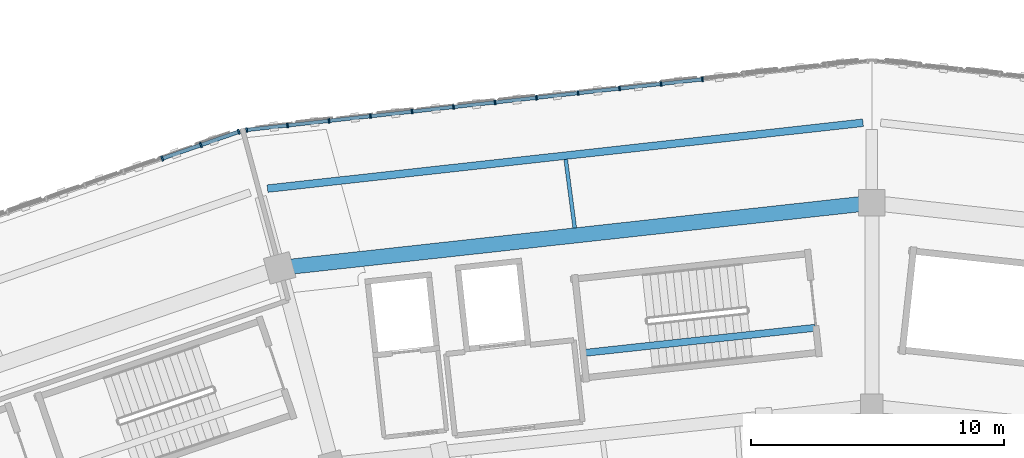
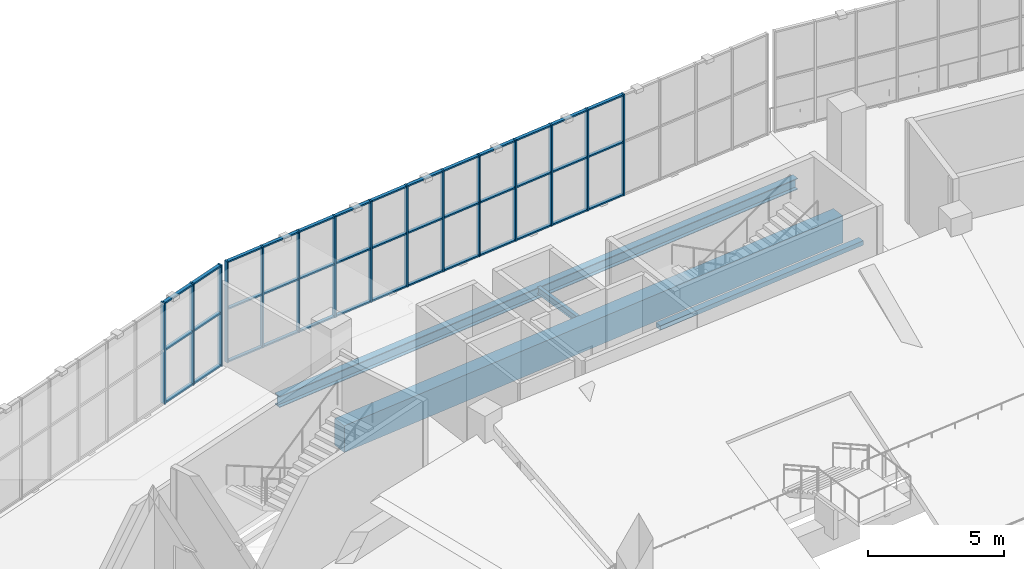
# One storey, part 57 of 152: 54 members, 4 beams, 2 elements without a shape of their own.
"""IFC4 building model written with IfcOpenShell, lengths in metres."""

from ifc_helpers import new_model, si_unit, direction, frame, origin, origin_2d, place, context, subcontext, project, spatial, rectangle, i_section, extrude, material, material_profile, profile_set, type_object, element, aggregate, save


model = new_model("IFC4")

# Units and contexts
model_context = context("Model", 3, precision=1e-05, world=origin(), true_north=direction((0.0, 1.0)))
body_context = subcontext(model_context, "Body", "Model", "MODEL_VIEW")
ifc_project = project(units=[si_unit("LENGTHUNIT", "METRE"), si_unit("AREAUNIT", "SQUARE_METRE"), si_unit("VOLUMEUNIT", "CUBIC_METRE"), si_unit("PLANEANGLEUNIT", "RADIAN"), si_unit("MASSUNIT", "GRAM", prefix="KILO")], contexts=[model_context])

# Site, building, storey
site_placement = place(None, origin())
site = spatial("IfcSite", under=ifc_project, at=site_placement, CompositionType="ELEMENT")
building_placement = place(site_placement, origin())
building = spatial("IfcBuilding", under=site, at=building_placement, Name="Zevraka Park Crest Stadium", CompositionType="ELEMENT")
storey_placement = place(building_placement, frame((0.0, 0.0, 15.0)))
storey = spatial("IfcBuildingStorey", under=building, at=storey_placement, Name="L03", CompositionType="ELEMENT", Elevation=15.0)

# Curtain wall, members
ifc_material_1 = material(Name="Anodised architectural aluminium and laminated safety glass", Category="aluminium")
curtain_wall_type_1 = type_object("IfcCurtainWallType", Name="CW11", PredefinedType="NOTDEFINED", material=ifc_material_1)
curtain_wall_1_placement = place(storey_placement, origin())
curtain_wall_1 = element("IfcCurtainWall", 1, at=curtain_wall_1_placement, inside=storey, type_object=curtain_wall_type_1, Name="Unitised Ring Curtain Wall CW11 L03-06", PredefinedType="NOTDEFINED")
ifc_material_2 = material(Name="Anodised architectural aluminium", Category="aluminium")
ifc_material_profile_1 = material_profile(ifc_material_2, rectangle(XDim=0.179931640625, YDim=0.06494140625, at=origin_2d()), Name="ALU MULLION 180x65")
ifc_profile_set_1 = profile_set([ifc_material_profile_1], Name="Anodised architectural aluminium")
member_type_1 = type_object("IfcMemberType", Name="CM02", PredefinedType="MULLION", material=ifc_profile_set_1)
member_1_placement = place(storey_placement, frame((105.318359375, 172.17724609375, 0.0), z_axis=(0.0, 0.0, 1.0), x_axis=(0.110396006373, -0.993887680665, 0.0)))
member_1 = element("IfcMember", 2, at=member_1_placement, type_object=member_type_1, Name="CW11 mullion 5", PredefinedType="MULLION", context=body_context, shape_type="SweptSolid", body=[
    extrude(rectangle(XDim=0.179931640625, YDim=0.06494140625, at=origin_2d()), origin(), (0.0, 0.0, 1.0), 4.5400390625),
])
member_2_placement = place(storey_placement, frame((103.680419921875, 171.995361328125, 0.0), z_axis=(0.0, 0.0, 1.0), x_axis=(0.110396006373, -0.993887680665, 0.0)))
member_2 = element("IfcMember", 3, at=member_2_placement, type_object=member_type_1, Name="CW11 mullion 6", PredefinedType="MULLION", context=body_context, shape_type="SweptSolid", body=[
    extrude(rectangle(XDim=0.179931640625, YDim=0.06494140625, at=origin_2d()), origin(), (0.0, 0.0, 1.0), 4.5400390625),
])
member_3_placement = place(storey_placement, frame((102.04248046875, 171.8134765625, 0.0), z_axis=(0.0, 0.0, 1.0), x_axis=(0.110396006373, -0.993887680665, 0.0)))
member_3 = element("IfcMember", 4, at=member_3_placement, type_object=member_type_1, Name="CW11 mullion 7", PredefinedType="MULLION", context=body_context, shape_type="SweptSolid", body=[
    extrude(rectangle(XDim=0.179931640625, YDim=0.06494140625, at=origin_2d()), origin(), (0.0, 0.0, 1.0), 4.5400390625),
])
member_4_placement = place(storey_placement, frame((100.404541015625, 171.63134765625, 0.0), z_axis=(0.0, 0.0, 1.0), x_axis=(0.110396006373, -0.993887680665, 0.0)))
member_4 = element("IfcMember", 5, at=member_4_placement, type_object=member_type_1, Name="CW11 mullion 8", PredefinedType="MULLION", context=body_context, shape_type="SweptSolid", body=[
    extrude(rectangle(XDim=0.179931640625, YDim=0.06494140625, at=origin_2d()), origin(), (0.0, 0.0, 1.0), 4.5400390625),
])
member_5_placement = place(storey_placement, frame((98.7666015625, 171.449462890625, 0.0), z_axis=(0.0, 0.0, 1.0), x_axis=(0.110396006373, -0.993887680665, 0.0)))
member_5 = element("IfcMember", 6, at=member_5_placement, type_object=member_type_1, Name="CW11 mullion 9", PredefinedType="MULLION", context=body_context, shape_type="SweptSolid", body=[
    extrude(rectangle(XDim=0.179931640625, YDim=0.06494140625, at=origin_2d()), origin(), (0.0, 0.0, 1.0), 4.5400390625),
])
member_6_placement = place(storey_placement, frame((97.128662109375, 171.267578125, 0.0), z_axis=(0.0, 0.0, 1.0), x_axis=(0.110396006373, -0.993887680665, 0.0)))
member_6 = element("IfcMember", 7, at=member_6_placement, type_object=member_type_1, Name="CW11 mullion 10", PredefinedType="MULLION", context=body_context, shape_type="SweptSolid", body=[
    extrude(rectangle(XDim=0.179931640625, YDim=0.06494140625, at=origin_2d()), origin(), (0.0, 0.0, 1.0), 4.5400390625),
])
member_7_placement = place(storey_placement, frame((95.49072265625, 171.085693359375, 0.0), z_axis=(0.0, 0.0, 1.0), x_axis=(0.110396006373, -0.993887680665, 0.0)))
member_7 = element("IfcMember", 8, at=member_7_placement, type_object=member_type_1, Name="CW11 mullion 11", PredefinedType="MULLION", context=body_context, shape_type="SweptSolid", body=[
    extrude(rectangle(XDim=0.179931640625, YDim=0.06494140625, at=origin_2d()), origin(), (0.0, 0.0, 1.0), 4.5400390625),
])
member_8_placement = place(storey_placement, frame((93.852783203125, 170.90380859375, 0.0), z_axis=(0.0, 0.0, 1.0), x_axis=(0.110396006373, -0.993887680665, 0.0)))
member_8 = element("IfcMember", 9, at=member_8_placement, type_object=member_type_1, Name="CW11 mullion 12", PredefinedType="MULLION", context=body_context, shape_type="SweptSolid", body=[
    extrude(rectangle(XDim=0.179931640625, YDim=0.06494140625, at=origin_2d()), origin(), (0.0, 0.0, 1.0), 4.5400390625),
])
member_9_placement = place(storey_placement, frame((92.21484375, 170.7216796875, 0.0), z_axis=(0.0, 0.0, 1.0), x_axis=(0.110396006373, -0.993887680665, 0.0)))
member_9 = element("IfcMember", 10, at=member_9_placement, type_object=member_type_1, Name="CW11 mullion 13", PredefinedType="MULLION", context=body_context, shape_type="SweptSolid", body=[
    extrude(rectangle(XDim=0.179931640625, YDim=0.06494140625, at=origin_2d()), origin(), (0.0, 0.0, 1.0), 4.5400390625),
])
member_10_placement = place(storey_placement, frame((90.576904296875, 170.539794921875, 0.0), z_axis=(0.0, 0.0, 1.0), x_axis=(0.110396006373, -0.993887680665, 0.0)))
member_10 = element("IfcMember", 11, at=member_10_placement, type_object=member_type_1, Name="CW11 mullion 14", PredefinedType="MULLION", context=body_context, shape_type="SweptSolid", body=[
    extrude(rectangle(XDim=0.179931640625, YDim=0.06494140625, at=origin_2d()), origin(), (0.0, 0.0, 1.0), 4.5400390625),
])
member_11_placement = place(storey_placement, frame((88.93896484375, 170.35791015625, 0.0), z_axis=(0.0, 0.0, 1.0), x_axis=(0.110396006373, -0.993887680665, 0.0)))
member_11 = element("IfcMember", 12, at=member_11_placement, type_object=member_type_1, Name="CW11 mullion 15", PredefinedType="MULLION", context=body_context, shape_type="SweptSolid", body=[
    extrude(rectangle(XDim=0.179931640625, YDim=0.06494140625, at=origin_2d()), origin(), (0.0, 0.0, 1.0), 4.5400390625),
])
member_12_placement = place(storey_placement, frame((87.333251953125, 170.1796875, 0.0), z_axis=(0.0, 0.0, 1.0), x_axis=(0.110396006373, -0.993887680665, 0.0)))
member_12 = element("IfcMember", 13, at=member_12_placement, type_object=member_type_1, Name="CW11 mullion 16", PredefinedType="MULLION", context=body_context, shape_type="SweptSolid", body=[
    extrude(rectangle(XDim=0.179931640625, YDim=0.06494140625, at=origin_2d()), origin(), (0.0, 0.0, 1.0), 4.5400390625),
])

ifc_material_3 = material(Name="Anodised architectural aluminium and laminated safety glass", Category="aluminium")
curtain_wall_type_2 = type_object("IfcCurtainWallType", Name="CW12", PredefinedType="NOTDEFINED", material=ifc_material_3)
curtain_wall_2_placement = place(storey_placement, origin())
curtain_wall_2 = element("IfcCurtainWall", 14, at=curtain_wall_2_placement, inside=storey, type_object=curtain_wall_type_2, Name="Unitised Ring Curtain Wall CW12 L03-07", PredefinedType="NOTDEFINED")
ifc_material_4 = material(Name="Anodised architectural aluminium", Category="aluminium")
ifc_material_profile_2 = material_profile(ifc_material_4, rectangle(XDim=0.199951171875, YDim=0.070068359375, at=origin_2d()), Name="ALU MULLION 200x70")
ifc_profile_set_2 = profile_set([ifc_material_profile_2], Name="Anodised architectural aluminium")
member_type_2 = type_object("IfcMemberType", Name="CM03", PredefinedType="MULLION", material=ifc_profile_set_2)
member_13_placement = place(storey_placement, frame((87.013916015625, 170.1064453125, 0.0), z_axis=(0.0, 0.0, 1.0), x_axis=(0.329916814701, -0.944010008092, 0.0)))
member_13 = element("IfcMember", 15, at=member_13_placement, type_object=member_type_2, Name="CW12 mullion 1", PredefinedType="MULLION", context=body_context, shape_type="SweptSolid", body=[
    extrude(rectangle(XDim=0.199951171875, YDim=0.070068359375, at=origin_2d()), origin(), (0.0, 0.0, 1.0), 4.5400390625),
])
member_14_placement = place(storey_placement, frame((85.521240234375, 169.584716796875, 0.0), z_axis=(0.0, 0.0, 1.0), x_axis=(0.329916814701, -0.944010008092, 0.0)))
member_14 = element("IfcMember", 16, at=member_14_placement, type_object=member_type_2, Name="CW12 mullion 2", PredefinedType="MULLION", context=body_context, shape_type="SweptSolid", body=[
    extrude(rectangle(XDim=0.199951171875, YDim=0.070068359375, at=origin_2d()), origin(), (0.0, 0.0, 1.0), 4.5400390625),
])
member_15_placement = place(storey_placement, frame((83.995361328125, 169.051513671875, 0.0), z_axis=(0.0, 0.0, 1.0), x_axis=(0.329916814701, -0.944010008092, 0.0)))
member_15 = element("IfcMember", 17, at=member_15_placement, type_object=member_type_2, Name="CW12 mullion 3", PredefinedType="MULLION", context=body_context, shape_type="SweptSolid", body=[
    extrude(rectangle(XDim=0.199951171875, YDim=0.070068359375, at=origin_2d()), origin(), (0.0, 0.0, 1.0), 4.5400390625),
])

# Member
ifc_material_5 = material(Name="Anodised architectural aluminium", Category="aluminium")
ifc_material_profile_3 = material_profile(ifc_material_5, rectangle(XDim=0.139892578125, YDim=0.06494140625, at=origin_2d()), Name="ALU TRANSOM 140x65")
ifc_profile_set_3 = profile_set([ifc_material_profile_3], Name="Anodised architectural aluminium")
member_type_3 = type_object("IfcMemberType", Name="CT02", PredefinedType="USERDEFINED", material=ifc_profile_set_3)
member_16_placement = place(storey_placement, frame((105.285888671875, 172.173583984375, 0.032470703125), z_axis=(-0.993900651403, -0.110279169111, 0.0), x_axis=(0.110279169111, -0.993900651403, 0.0)))
member_16 = element("IfcMember", 18, at=member_16_placement, type_object=member_type_3, Name="CW11 transom 5.1", ObjectType="TRANSOM", PredefinedType="USERDEFINED", context=body_context, shape_type="SweptSolid", body=[
    extrude(rectangle(XDim=0.139892578125, YDim=0.06494140625, at=origin_2d()), origin(), (0.0, 0.0, 1.0), 1.5830078125),
])

member_17_placement = place(storey_placement, frame((105.285888671875, 172.173583984375, 2.39990234375), z_axis=(-0.993900651403, -0.110279169111, 0.0), x_axis=(0.110279169111, -0.993900651403, 0.0)))
member_17 = element("IfcMember", 19, at=member_17_placement, type_object=member_type_3, Name="CW11 transom 5.2", ObjectType="TRANSOM", PredefinedType="USERDEFINED", context=body_context, shape_type="SweptSolid", body=[
    extrude(rectangle(XDim=0.139892578125, YDim=0.06494140625, at=origin_2d()), origin(), (0.0, 0.0, 1.0), 1.5830078125),
])

member_18_placement = place(storey_placement, frame((105.285888671875, 172.173583984375, 4.507568359375), z_axis=(-0.993900651403, -0.110279169111, 0.0), x_axis=(0.110279169111, -0.993900651403, 0.0)))
member_18 = element("IfcMember", 20, at=member_18_placement, type_object=member_type_3, Name="CW11 transom 5.3", ObjectType="TRANSOM", PredefinedType="USERDEFINED", context=body_context, shape_type="SweptSolid", body=[
    extrude(rectangle(XDim=0.139892578125, YDim=0.06494140625, at=origin_2d()), origin(), (0.0, 0.0, 1.0), 1.5830078125),
])

member_19_placement = place(storey_placement, frame((103.64794921875, 171.99169921875, 0.032470703125), z_axis=(-0.993883734674, -0.110431526075, 0.0), x_axis=(0.110431526075, -0.993883734674, 0.0)))
member_19 = element("IfcMember", 21, at=member_19_placement, type_object=member_type_3, Name="CW11 transom 6.1", ObjectType="TRANSOM", PredefinedType="USERDEFINED", context=body_context, shape_type="SweptSolid", body=[
    extrude(rectangle(XDim=0.139892578125, YDim=0.06494140625, at=origin_2d()), origin(), (0.0, 0.0, 1.0), 1.5830078125),
])

member_20_placement = place(storey_placement, frame((103.64794921875, 171.99169921875, 2.39990234375), z_axis=(-0.993883734674, -0.110431526075, 0.0), x_axis=(0.110431526075, -0.993883734674, 0.0)))
member_20 = element("IfcMember", 22, at=member_20_placement, type_object=member_type_3, Name="CW11 transom 6.2", ObjectType="TRANSOM", PredefinedType="USERDEFINED", context=body_context, shape_type="SweptSolid", body=[
    extrude(rectangle(XDim=0.139892578125, YDim=0.06494140625, at=origin_2d()), origin(), (0.0, 0.0, 1.0), 1.5830078125),
])

member_21_placement = place(storey_placement, frame((103.64794921875, 171.99169921875, 4.507568359375), z_axis=(-0.993883734674, -0.110431526075, 0.0), x_axis=(0.110431526075, -0.993883734674, 0.0)))
member_21 = element("IfcMember", 23, at=member_21_placement, type_object=member_type_3, Name="CW11 transom 6.3", ObjectType="TRANSOM", PredefinedType="USERDEFINED", context=body_context, shape_type="SweptSolid", body=[
    extrude(rectangle(XDim=0.139892578125, YDim=0.06494140625, at=origin_2d()), origin(), (0.0, 0.0, 1.0), 1.5830078125),
])

member_22_placement = place(storey_placement, frame((102.010009765625, 171.809814453125, 0.032470703125), z_axis=(-0.993883734674, -0.110431526075, 0.0), x_axis=(0.110431526075, -0.993883734674, 0.0)))
member_22 = element("IfcMember", 24, at=member_22_placement, type_object=member_type_3, Name="CW11 transom 7.1", ObjectType="TRANSOM", PredefinedType="USERDEFINED", context=body_context, shape_type="SweptSolid", body=[
    extrude(rectangle(XDim=0.139892578125, YDim=0.06494140625, at=origin_2d()), origin(), (0.0, 0.0, 1.0), 1.5830078125),
])

member_23_placement = place(storey_placement, frame((102.010009765625, 171.809814453125, 2.39990234375), z_axis=(-0.993883734674, -0.110431526075, 0.0), x_axis=(0.110431526075, -0.993883734674, 0.0)))
member_23 = element("IfcMember", 25, at=member_23_placement, type_object=member_type_3, Name="CW11 transom 7.2", ObjectType="TRANSOM", PredefinedType="USERDEFINED", context=body_context, shape_type="SweptSolid", body=[
    extrude(rectangle(XDim=0.139892578125, YDim=0.06494140625, at=origin_2d()), origin(), (0.0, 0.0, 1.0), 1.5830078125),
])

member_24_placement = place(storey_placement, frame((102.010009765625, 171.809814453125, 4.507568359375), z_axis=(-0.993883734674, -0.110431526075, 0.0), x_axis=(0.110431526075, -0.993883734674, 0.0)))
member_24 = element("IfcMember", 26, at=member_24_placement, type_object=member_type_3, Name="CW11 transom 7.3", ObjectType="TRANSOM", PredefinedType="USERDEFINED", context=body_context, shape_type="SweptSolid", body=[
    extrude(rectangle(XDim=0.139892578125, YDim=0.06494140625, at=origin_2d()), origin(), (0.0, 0.0, 1.0), 1.5830078125),
])

member_25_placement = place(storey_placement, frame((100.3720703125, 171.6279296875, 0.032470703125), z_axis=(-0.993883734674, -0.110431526075, 0.0), x_axis=(0.110431526075, -0.993883734674, 0.0)))
member_25 = element("IfcMember", 27, at=member_25_placement, type_object=member_type_3, Name="CW11 transom 8.1", ObjectType="TRANSOM", PredefinedType="USERDEFINED", context=body_context, shape_type="SweptSolid", body=[
    extrude(rectangle(XDim=0.139892578125, YDim=0.06494140625, at=origin_2d()), origin(), (0.0, 0.0, 1.0), 1.5830078125),
])

member_26_placement = place(storey_placement, frame((100.3720703125, 171.6279296875, 2.39990234375), z_axis=(-0.993883734674, -0.110431526075, 0.0), x_axis=(0.110431526075, -0.993883734674, 0.0)))
member_26 = element("IfcMember", 28, at=member_26_placement, type_object=member_type_3, Name="CW11 transom 8.2", ObjectType="TRANSOM", PredefinedType="USERDEFINED", context=body_context, shape_type="SweptSolid", body=[
    extrude(rectangle(XDim=0.139892578125, YDim=0.06494140625, at=origin_2d()), origin(), (0.0, 0.0, 1.0), 1.5830078125),
])

member_27_placement = place(storey_placement, frame((100.3720703125, 171.6279296875, 4.507568359375), z_axis=(-0.993883734674, -0.110431526075, 0.0), x_axis=(0.110431526075, -0.993883734674, 0.0)))
member_27 = element("IfcMember", 29, at=member_27_placement, type_object=member_type_3, Name="CW11 transom 8.3", ObjectType="TRANSOM", PredefinedType="USERDEFINED", context=body_context, shape_type="SweptSolid", body=[
    extrude(rectangle(XDim=0.139892578125, YDim=0.06494140625, at=origin_2d()), origin(), (0.0, 0.0, 1.0), 1.5830078125),
])

member_28_placement = place(storey_placement, frame((98.734130859375, 171.446044921875, 0.032470703125), z_axis=(-0.993883734674, -0.110431526075, 0.0), x_axis=(0.110431526075, -0.993883734674, 0.0)))
member_28 = element("IfcMember", 30, at=member_28_placement, type_object=member_type_3, Name="CW11 transom 9.1", ObjectType="TRANSOM", PredefinedType="USERDEFINED", context=body_context, shape_type="SweptSolid", body=[
    extrude(rectangle(XDim=0.139892578125, YDim=0.06494140625, at=origin_2d()), origin(), (0.0, 0.0, 1.0), 1.5830078125),
])

member_29_placement = place(storey_placement, frame((98.734130859375, 171.446044921875, 2.39990234375), z_axis=(-0.993883734674, -0.110431526075, 0.0), x_axis=(0.110431526075, -0.993883734674, 0.0)))
member_29 = element("IfcMember", 31, at=member_29_placement, type_object=member_type_3, Name="CW11 transom 9.2", ObjectType="TRANSOM", PredefinedType="USERDEFINED", context=body_context, shape_type="SweptSolid", body=[
    extrude(rectangle(XDim=0.139892578125, YDim=0.06494140625, at=origin_2d()), origin(), (0.0, 0.0, 1.0), 1.5830078125),
])

member_30_placement = place(storey_placement, frame((98.734130859375, 171.446044921875, 4.507568359375), z_axis=(-0.993883734674, -0.110431526075, 0.0), x_axis=(0.110431526075, -0.993883734674, 0.0)))
member_30 = element("IfcMember", 32, at=member_30_placement, type_object=member_type_3, Name="CW11 transom 9.3", ObjectType="TRANSOM", PredefinedType="USERDEFINED", context=body_context, shape_type="SweptSolid", body=[
    extrude(rectangle(XDim=0.139892578125, YDim=0.06494140625, at=origin_2d()), origin(), (0.0, 0.0, 1.0), 1.5830078125),
])

member_31_placement = place(storey_placement, frame((97.09619140625, 171.263916015625, 0.032470703125), z_axis=(-0.993900651403, -0.110279169111, 0.0), x_axis=(0.110279169111, -0.993900651403, 0.0)))
member_31 = element("IfcMember", 33, at=member_31_placement, type_object=member_type_3, Name="CW11 transom 10.1", ObjectType="TRANSOM", PredefinedType="USERDEFINED", context=body_context, shape_type="SweptSolid", body=[
    extrude(rectangle(XDim=0.139892578125, YDim=0.06494140625, at=origin_2d()), origin(), (0.0, 0.0, 1.0), 1.5830078125),
])

member_32_placement = place(storey_placement, frame((97.09619140625, 171.263916015625, 2.39990234375), z_axis=(-0.993900651403, -0.110279169111, 0.0), x_axis=(0.110279169111, -0.993900651403, 0.0)))
member_32 = element("IfcMember", 34, at=member_32_placement, type_object=member_type_3, Name="CW11 transom 10.2", ObjectType="TRANSOM", PredefinedType="USERDEFINED", context=body_context, shape_type="SweptSolid", body=[
    extrude(rectangle(XDim=0.139892578125, YDim=0.06494140625, at=origin_2d()), origin(), (0.0, 0.0, 1.0), 1.5830078125),
])

member_33_placement = place(storey_placement, frame((97.09619140625, 171.263916015625, 4.507568359375), z_axis=(-0.993900651403, -0.110279169111, 0.0), x_axis=(0.110279169111, -0.993900651403, 0.0)))
member_33 = element("IfcMember", 35, at=member_33_placement, type_object=member_type_3, Name="CW11 transom 10.3", ObjectType="TRANSOM", PredefinedType="USERDEFINED", context=body_context, shape_type="SweptSolid", body=[
    extrude(rectangle(XDim=0.139892578125, YDim=0.06494140625, at=origin_2d()), origin(), (0.0, 0.0, 1.0), 1.5830078125),
])

member_34_placement = place(storey_placement, frame((95.458251953125, 171.08203125, 0.032470703125), z_axis=(-0.993883734674, -0.110431526075, 0.0), x_axis=(0.110431526075, -0.993883734674, 0.0)))
member_34 = element("IfcMember", 36, at=member_34_placement, type_object=member_type_3, Name="CW11 transom 11.1", ObjectType="TRANSOM", PredefinedType="USERDEFINED", context=body_context, shape_type="SweptSolid", body=[
    extrude(rectangle(XDim=0.139892578125, YDim=0.06494140625, at=origin_2d()), origin(), (0.0, 0.0, 1.0), 1.5830078125),
])

member_35_placement = place(storey_placement, frame((95.458251953125, 171.08203125, 2.39990234375), z_axis=(-0.993883734674, -0.110431526075, 0.0), x_axis=(0.110431526075, -0.993883734674, 0.0)))
member_35 = element("IfcMember", 37, at=member_35_placement, type_object=member_type_3, Name="CW11 transom 11.2", ObjectType="TRANSOM", PredefinedType="USERDEFINED", context=body_context, shape_type="SweptSolid", body=[
    extrude(rectangle(XDim=0.139892578125, YDim=0.06494140625, at=origin_2d()), origin(), (0.0, 0.0, 1.0), 1.5830078125),
])

member_36_placement = place(storey_placement, frame((95.458251953125, 171.08203125, 4.507568359375), z_axis=(-0.993883734674, -0.110431526075, 0.0), x_axis=(0.110431526075, -0.993883734674, 0.0)))
member_36 = element("IfcMember", 38, at=member_36_placement, type_object=member_type_3, Name="CW11 transom 11.3", ObjectType="TRANSOM", PredefinedType="USERDEFINED", context=body_context, shape_type="SweptSolid", body=[
    extrude(rectangle(XDim=0.139892578125, YDim=0.06494140625, at=origin_2d()), origin(), (0.0, 0.0, 1.0), 1.5830078125),
])

member_37_placement = place(storey_placement, frame((93.8203125, 170.900146484375, 0.032470703125), z_axis=(-0.993883734674, -0.110431526075, 0.0), x_axis=(0.110431526075, -0.993883734674, 0.0)))
member_37 = element("IfcMember", 39, at=member_37_placement, type_object=member_type_3, Name="CW11 transom 12.1", ObjectType="TRANSOM", PredefinedType="USERDEFINED", context=body_context, shape_type="SweptSolid", body=[
    extrude(rectangle(XDim=0.139892578125, YDim=0.06494140625, at=origin_2d()), origin(), (0.0, 0.0, 1.0), 1.5830078125),
])

member_38_placement = place(storey_placement, frame((93.8203125, 170.900146484375, 2.39990234375), z_axis=(-0.993883734674, -0.110431526075, 0.0), x_axis=(0.110431526075, -0.993883734674, 0.0)))
member_38 = element("IfcMember", 40, at=member_38_placement, type_object=member_type_3, Name="CW11 transom 12.2", ObjectType="TRANSOM", PredefinedType="USERDEFINED", context=body_context, shape_type="SweptSolid", body=[
    extrude(rectangle(XDim=0.139892578125, YDim=0.06494140625, at=origin_2d()), origin(), (0.0, 0.0, 1.0), 1.5830078125),
])

member_39_placement = place(storey_placement, frame((93.8203125, 170.900146484375, 4.507568359375), z_axis=(-0.993883734674, -0.110431526075, 0.0), x_axis=(0.110431526075, -0.993883734674, 0.0)))
member_39 = element("IfcMember", 41, at=member_39_placement, type_object=member_type_3, Name="CW11 transom 12.3", ObjectType="TRANSOM", PredefinedType="USERDEFINED", context=body_context, shape_type="SweptSolid", body=[
    extrude(rectangle(XDim=0.139892578125, YDim=0.06494140625, at=origin_2d()), origin(), (0.0, 0.0, 1.0), 1.5830078125),
])

member_40_placement = place(storey_placement, frame((92.1826171875, 170.71826171875, 0.032470703125), z_axis=(-0.993885615143, -0.110414600534, 0.0), x_axis=(0.110414600534, -0.993885615143, 0.0)))
member_40 = element("IfcMember", 42, at=member_40_placement, type_object=member_type_3, Name="CW11 transom 13.1", ObjectType="TRANSOM", PredefinedType="USERDEFINED", context=body_context, shape_type="SweptSolid", body=[
    extrude(rectangle(XDim=0.139892578125, YDim=0.06494140625, at=origin_2d()), origin(), (0.0, 0.0, 1.0), 1.583251953125),
])

member_41_placement = place(storey_placement, frame((92.1826171875, 170.71826171875, 2.39990234375), z_axis=(-0.993885615143, -0.110414600534, 0.0), x_axis=(0.110414600534, -0.993885615143, 0.0)))
member_41 = element("IfcMember", 43, at=member_41_placement, type_object=member_type_3, Name="CW11 transom 13.2", ObjectType="TRANSOM", PredefinedType="USERDEFINED", context=body_context, shape_type="SweptSolid", body=[
    extrude(rectangle(XDim=0.139892578125, YDim=0.06494140625, at=origin_2d()), origin(), (0.0, 0.0, 1.0), 1.583251953125),
])

member_42_placement = place(storey_placement, frame((92.1826171875, 170.71826171875, 4.507568359375), z_axis=(-0.993885615143, -0.110414600534, 0.0), x_axis=(0.110414600534, -0.993885615143, 0.0)))
member_42 = element("IfcMember", 44, at=member_42_placement, type_object=member_type_3, Name="CW11 transom 13.3", ObjectType="TRANSOM", PredefinedType="USERDEFINED", context=body_context, shape_type="SweptSolid", body=[
    extrude(rectangle(XDim=0.139892578125, YDim=0.06494140625, at=origin_2d()), origin(), (0.0, 0.0, 1.0), 1.583251953125),
])

member_43_placement = place(storey_placement, frame((90.544677734375, 170.536376953125, 0.032470703125), z_axis=(-0.993885615143, -0.110414600534, 0.0), x_axis=(0.110414600534, -0.993885615143, 0.0)))
member_43 = element("IfcMember", 45, at=member_43_placement, type_object=member_type_3, Name="CW11 transom 14.1", ObjectType="TRANSOM", PredefinedType="USERDEFINED", context=body_context, shape_type="SweptSolid", body=[
    extrude(rectangle(XDim=0.139892578125, YDim=0.06494140625, at=origin_2d()), origin(), (0.0, 0.0, 1.0), 1.583251953125),
])

member_44_placement = place(storey_placement, frame((90.544677734375, 170.536376953125, 2.39990234375), z_axis=(-0.993885615143, -0.110414600534, 0.0), x_axis=(0.110414600534, -0.993885615143, 0.0)))
member_44 = element("IfcMember", 46, at=member_44_placement, type_object=member_type_3, Name="CW11 transom 14.2", ObjectType="TRANSOM", PredefinedType="USERDEFINED", context=body_context, shape_type="SweptSolid", body=[
    extrude(rectangle(XDim=0.139892578125, YDim=0.06494140625, at=origin_2d()), origin(), (0.0, 0.0, 1.0), 1.583251953125),
])

member_45_placement = place(storey_placement, frame((90.544677734375, 170.536376953125, 4.507568359375), z_axis=(-0.993885615143, -0.110414600534, 0.0), x_axis=(0.110414600534, -0.993885615143, 0.0)))
member_45 = element("IfcMember", 47, at=member_45_placement, type_object=member_type_3, Name="CW11 transom 14.3", ObjectType="TRANSOM", PredefinedType="USERDEFINED", context=body_context, shape_type="SweptSolid", body=[
    extrude(rectangle(XDim=0.139892578125, YDim=0.06494140625, at=origin_2d()), origin(), (0.0, 0.0, 1.0), 1.583251953125),
])

member_46_placement = place(storey_placement, frame((88.90673828125, 170.354248046875, 0.032470703125), z_axis=(-0.993889494064, -0.110379679236, 0.0), x_axis=(0.110379679236, -0.993889494064, 0.0)))
member_46 = element("IfcMember", 48, at=member_46_placement, type_object=member_type_3, Name="CW11 transom 15.1", ObjectType="TRANSOM", PredefinedType="USERDEFINED", context=body_context, shape_type="SweptSolid", body=[
    extrude(rectangle(XDim=0.139892578125, YDim=0.06494140625, at=origin_2d()), origin(), (0.0, 0.0, 1.0), 1.550537109375),
])

member_47_placement = place(storey_placement, frame((88.90673828125, 170.354248046875, 2.39990234375), z_axis=(-0.993889494064, -0.110379679236, 0.0), x_axis=(0.110379679236, -0.993889494064, 0.0)))
member_47 = element("IfcMember", 49, at=member_47_placement, type_object=member_type_3, Name="CW11 transom 15.2", ObjectType="TRANSOM", PredefinedType="USERDEFINED", context=body_context, shape_type="SweptSolid", body=[
    extrude(rectangle(XDim=0.139892578125, YDim=0.06494140625, at=origin_2d()), origin(), (0.0, 0.0, 1.0), 1.550537109375),
])

member_48_placement = place(storey_placement, frame((88.90673828125, 170.354248046875, 4.507568359375), z_axis=(-0.993889494064, -0.110379679236, 0.0), x_axis=(0.110379679236, -0.993889494064, 0.0)))
member_48 = element("IfcMember", 50, at=member_48_placement, type_object=member_type_3, Name="CW11 transom 15.3", ObjectType="TRANSOM", PredefinedType="USERDEFINED", context=body_context, shape_type="SweptSolid", body=[
    extrude(rectangle(XDim=0.139892578125, YDim=0.06494140625, at=origin_2d()), origin(), (0.0, 0.0, 1.0), 1.550537109375),
])

aggregate(curtain_wall_1, [member_1, member_2, member_3, member_4, member_5, member_6, member_7, member_8, member_9, member_10, member_11, member_12, member_16, member_17, member_18, member_19, member_20, member_21, member_22, member_23, member_24, member_25, member_26, member_27, member_28, member_29, member_30, member_31, member_32, member_33, member_34, member_35, member_36, member_37, member_38, member_39, member_40, member_41, member_42, member_43, member_44, member_45, member_46, member_47, member_48])

ifc_material_6 = material(Name="Anodised architectural aluminium", Category="aluminium")
ifc_material_profile_4 = material_profile(ifc_material_6, rectangle(XDim=0.14990234375, YDim=0.070068359375, at=origin_2d()), Name="ALU TRANSOM 150x70")
ifc_profile_set_4 = profile_set([ifc_material_profile_4], Name="Anodised architectural aluminium")
member_type_4 = type_object("IfcMemberType", Name="CT03", PredefinedType="USERDEFINED", material=ifc_profile_set_4)
member_49_placement = place(storey_placement, frame((86.98095703125, 170.094970703125, 0.034912109375), z_axis=(-0.943979170589, -0.330005038589, 0.0), x_axis=(0.330005038589, -0.943979170589, 0.0)))
member_49 = element("IfcMember", 51, at=member_49_placement, type_object=member_type_4, Name="CW12 transom 1.1", ObjectType="TRANSOM", PredefinedType="USERDEFINED", context=body_context, shape_type="SweptSolid", body=[
    extrude(rectangle(XDim=0.14990234375, YDim=0.070068359375, at=origin_2d()), origin(), (0.0, 0.0, 1.0), 1.511474609375),
])

member_50_placement = place(storey_placement, frame((86.98095703125, 170.094970703125, 2.39990234375), z_axis=(-0.943979170589, -0.330005038589, 0.0), x_axis=(0.330005038589, -0.943979170589, 0.0)))
member_50 = element("IfcMember", 52, at=member_50_placement, type_object=member_type_4, Name="CW12 transom 1.2", ObjectType="TRANSOM", PredefinedType="USERDEFINED", context=body_context, shape_type="SweptSolid", body=[
    extrude(rectangle(XDim=0.14990234375, YDim=0.070068359375, at=origin_2d()), origin(), (0.0, 0.0, 1.0), 1.511474609375),
])

member_51_placement = place(storey_placement, frame((86.98095703125, 170.094970703125, 4.5048828125), z_axis=(-0.943979170589, -0.330005038589, 0.0), x_axis=(0.330005038589, -0.943979170589, 0.0)))
member_51 = element("IfcMember", 53, at=member_51_placement, type_object=member_type_4, Name="CW12 transom 1.3", ObjectType="TRANSOM", PredefinedType="USERDEFINED", context=body_context, shape_type="SweptSolid", body=[
    extrude(rectangle(XDim=0.14990234375, YDim=0.070068359375, at=origin_2d()), origin(), (0.0, 0.0, 1.0), 1.511474609375),
])

member_52_placement = place(storey_placement, frame((85.488037109375, 169.5732421875, 0.034912109375), z_axis=(-0.943988739301, -0.329977666021, 0.0), x_axis=(0.329977666021, -0.943988739301, 0.0)))
member_52 = element("IfcMember", 54, at=member_52_placement, type_object=member_type_4, Name="CW12 transom 2.1", ObjectType="TRANSOM", PredefinedType="USERDEFINED", context=body_context, shape_type="SweptSolid", body=[
    extrude(rectangle(XDim=0.14990234375, YDim=0.070068359375, at=origin_2d()), origin(), (0.0, 0.0, 1.0), 1.54638671875),
])

member_53_placement = place(storey_placement, frame((85.488037109375, 169.5732421875, 2.39990234375), z_axis=(-0.943988739301, -0.329977666021, 0.0), x_axis=(0.329977666021, -0.943988739301, 0.0)))
member_53 = element("IfcMember", 55, at=member_53_placement, type_object=member_type_4, Name="CW12 transom 2.2", ObjectType="TRANSOM", PredefinedType="USERDEFINED", context=body_context, shape_type="SweptSolid", body=[
    extrude(rectangle(XDim=0.14990234375, YDim=0.070068359375, at=origin_2d()), origin(), (0.0, 0.0, 1.0), 1.54638671875),
])

member_54_placement = place(storey_placement, frame((85.488037109375, 169.5732421875, 4.5048828125), z_axis=(-0.943988739301, -0.329977666021, 0.0), x_axis=(0.329977666021, -0.943988739301, 0.0)))
member_54 = element("IfcMember", 56, at=member_54_placement, type_object=member_type_4, Name="CW12 transom 2.3", ObjectType="TRANSOM", PredefinedType="USERDEFINED", context=body_context, shape_type="SweptSolid", body=[
    extrude(rectangle(XDim=0.14990234375, YDim=0.070068359375, at=origin_2d()), origin(), (0.0, 0.0, 1.0), 1.54638671875),
])

aggregate(curtain_wall_2, [member_13, member_14, member_15, member_49, member_50, member_51, member_52, member_53, member_54])

# Beams
ifc_material_7 = material(Name="Concrete C40/50", Category="concrete")
ifc_material_profile_5 = material_profile(ifc_material_7, rectangle(XDim=0.60009765625, YDim=1.199951171875, at=origin_2d()), Name="RC 1200x600")
ifc_profile_set_5 = profile_set([ifc_material_profile_5], Name="Concrete C40/50")
beam_type_1 = type_object("IfcBeamType", Name="RB01", PredefinedType="BEAM", material=ifc_profile_set_5)
beam_1_placement = place(storey_placement, frame((111.6220703125, 167.259033203125, -0.610107421875), z_axis=(-0.994021150509, -0.109187693174, 0.0), x_axis=(0.109187693174, -0.994021150509, 0.0)))
element("IfcBeam", 57, at=beam_1_placement, inside=storey, type_object=beam_type_1, Name="Ring Beam RB01 L03-D-06", PredefinedType="BEAM", context=body_context, shape_type="SweptSolid", body=[
    extrude(rectangle(XDim=0.60009765625, YDim=1.199951171875, at=origin_2d()), origin(), (0.0, 0.0, 1.0), 22.7509765625),
])
ifc_material_8 = material(Name="Steel S355", Category="steel")
ifc_material_profile_6 = material_profile(ifc_material_8, i_section(OverallWidth=0.300048828125, OverallDepth=0.5, WebThickness=0.014404296875, FlangeThickness=0.028076171875, at=origin_2d()), Name="HEB 500")
ifc_profile_set_6 = profile_set([ifc_material_profile_6], Name="Steel S355")
beam_type_2 = type_object("IfcBeamType", Name="RB05", PredefinedType="BEAM", material=ifc_profile_set_6)
beam_2_placement = place(storey_placement, frame((111.652099609375, 170.4619140625, -0.60498046875), z_axis=(-0.993942516724, -0.109901198576, 0.0), x_axis=(0.109901198576, -0.993942516724, 0.0)))
element("IfcBeam", 58, at=beam_2_placement, inside=storey, type_object=beam_type_2, Name="Ring Beam RB05 L03-E-06", PredefinedType="BEAM", context=body_context, shape_type="SweptSolid", body=[
    extrude(i_section(OverallWidth=0.300048828125, OverallDepth=0.5, WebThickness=0.014404296875, FlangeThickness=0.028076171875, at=origin_2d()), origin(), (0.0, 0.0, 1.0), 23.6474609375),
])
ifc_material_9 = material(Name="Steel S355", Category="steel")
ifc_material_profile_7 = material_profile(ifc_material_9, i_section(OverallWidth=0.14990234375, OverallDepth=0.300048828125, WebThickness=0.007080078125, FlangeThickness=0.0107421875, at=origin_2d()), Name="IPE 300")
ifc_profile_set_7 = profile_set([ifc_material_profile_7], Name="Steel S355")
beam_type_3 = type_object("IfcBeamType", Name="SJ01", PredefinedType="JOIST", material=ifc_profile_set_7)
beam_3_placement = place(storey_placement, frame((100.27587890625, 166.30908203125, -0.4580078125), z_axis=(-0.13058389889, 0.991437262438, 0.0), x_axis=(-0.991437262438, -0.13058389889, 0.0)))
element("IfcBeam", 59, at=beam_3_placement, inside=storey, type_object=beam_type_3, Name="Floor Joist SJ01 L03-DE-06-1", PredefinedType="JOIST", context=body_context, shape_type="SweptSolid", body=[
    extrude(i_section(OverallWidth=0.14990234375, OverallDepth=0.300048828125, WebThickness=0.007080078125, FlangeThickness=0.0107421875, at=origin_2d()), origin(), (0.0, 0.0, 1.0), 2.7333984375),
])
ifc_material_10 = material(Name="Concrete C40/50", Category="concrete")
ifc_material_profile_8 = material_profile(ifc_material_10, rectangle(XDim=0.280029296875, YDim=0.199951171875, at=origin_2d()), Name="RC 200x280")
ifc_profile_set_8 = profile_set([ifc_material_profile_8], Name="Concrete C40/50")
beam_type_4 = type_object("IfcBeamType", Name="SJ13", PredefinedType="JOIST", material=ifc_profile_set_8)
beam_4_placement = place(storey_placement, frame((109.77197265625, 162.37158203125, 2.300048828125), z_axis=(-0.994127809114, -0.108212287404, 0.0), x_axis=(0.108212287404, -0.994127809114, 0.0)))
element("IfcBeam", 60, at=beam_4_placement, inside=storey, type_object=beam_type_4, Name="Stair Upper-Flight Longitudinal Stringer SJ13 ST07-L03", PredefinedType="JOIST", context=body_context, shape_type="SweptSolid", body=[
    extrude(rectangle(XDim=0.280029296875, YDim=0.199951171875, at=origin_2d()), origin(), (0.0, 0.0, 1.0), 9.25),
])

save(model, "model.ifc")
